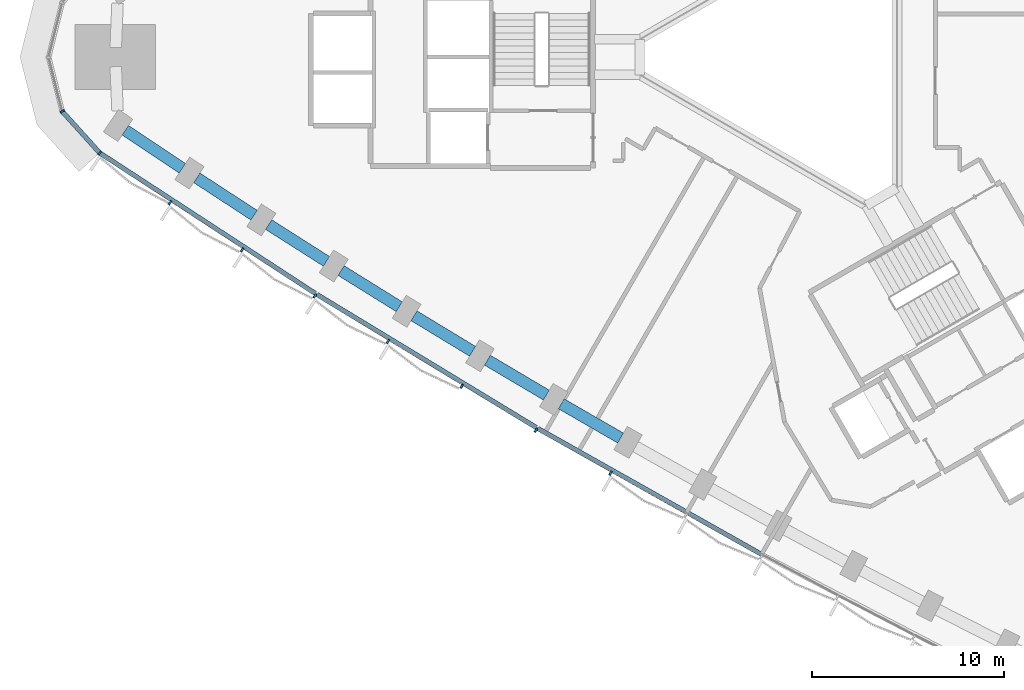
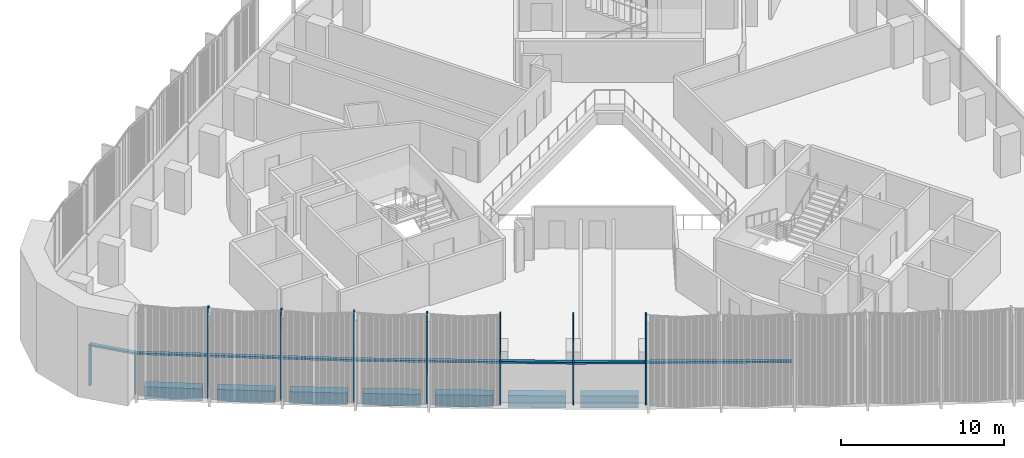
# One storey, part 2 of 15: 13 members, 7 beams, 2 elements without a shape of their own.
"""IFC4 building model written with IfcOpenShell, lengths in metres."""

from ifc_helpers import new_model, si_unit, direction, frame, origin, origin_2d, place, context, subcontext, project, spatial, rectangle, extrude, material, material_profile, profile_set, type_object, element, aggregate, save


model = new_model("IFC4")

# Units and contexts
model_context = context("Model", 3, precision=1e-05, world=origin(), true_north=direction((0.0, 1.0)))
body_context = subcontext(model_context, "Body", "Model", "MODEL_VIEW")
ifc_project = project(units=[si_unit("LENGTHUNIT", "METRE"), si_unit("AREAUNIT", "SQUARE_METRE"), si_unit("VOLUMEUNIT", "CUBIC_METRE"), si_unit("PLANEANGLEUNIT", "RADIAN"), si_unit("MASSUNIT", "GRAM", prefix="KILO")], contexts=[model_context])

# Site, building, storey
site_placement = place(None, origin())
site = spatial("IfcSite", under=ifc_project, at=site_placement, CompositionType="ELEMENT")
building_placement = place(site_placement, origin())
building = spatial("IfcBuilding", under=site, at=building_placement, Name="Tamra Quay Hotel Tower", CompositionType="ELEMENT")
storey_placement = place(building_placement, frame((0.0, 0.0, 67.39990234375)))
storey = spatial("IfcBuildingStorey", under=building, at=storey_placement, Name="L15", CompositionType="ELEMENT", Elevation=67.39990234375)

# Curtain wall, member
ifc_material_1 = material(Name="Aluminium 6063 anodised dark grey", Category="aluminium")
curtain_wall_type_1 = type_object("IfcCurtainWallType", Name="CW2 CURTAIN WALL", PredefinedType="NOTDEFINED", material=ifc_material_1)
curtain_wall_1_placement = place(storey_placement, origin())
curtain_wall_1 = element("IfcCurtainWall", 1, at=curtain_wall_1_placement, inside=storey, type_object=curtain_wall_type_1, Name="CW2 north-west face L15", PredefinedType="NOTDEFINED")
ifc_material_profile_1 = material_profile(ifc_material_1, rectangle(XDim=0.239990234375, YDim=0.10009765625, at=origin_2d()), Name="MULLION 100X240")
ifc_profile_set_1 = profile_set([ifc_material_profile_1], Name="Aluminium 6063 anodised dark grey")
member_type_1 = type_object("IfcMemberType", Name="MULLION CW2 Z1", PredefinedType="MULLION", material=ifc_profile_set_1)
member_1_placement = place(storey_placement, frame((-38.497802734375, -2.828125, 0.0), z_axis=(0.0, 0.0, 1.0), x_axis=(-0.882955345235, -0.469456982396, 0.0)))
member_1 = element("IfcMember", 2, at=member_1_placement, type_object=member_type_1, Name="CW2 mullion L15.NW.17", PredefinedType="MULLION", context=body_context, shape_type="SweptSolid", body=[
    extrude(rectangle(XDim=0.239990234375, YDim=0.10009765625, at=origin_2d()), origin(), (0.0, 0.0, 1.0), 3.125),
])

# Curtain wall, members
curtain_wall_type_2 = type_object("IfcCurtainWallType", Name="CW3 CURTAIN WALL", PredefinedType="NOTDEFINED", material=ifc_material_1)
curtain_wall_2_placement = place(storey_placement, origin())
curtain_wall_2 = element("IfcCurtainWall", 3, at=curtain_wall_2_placement, inside=storey, type_object=curtain_wall_type_2, Name="CW3 south-west face L15", PredefinedType="NOTDEFINED")
ifc_material_profile_2 = material_profile(ifc_material_1, rectangle(XDim=0.239990234375, YDim=0.10009765625, at=origin_2d()), Name="MULLION 100X240")
ifc_profile_set_2 = profile_set([ifc_material_profile_2], Name="Aluminium 6063 anodised dark grey")
member_type_2 = type_object("IfcMemberType", Name="MULLION CW3 Z1", PredefinedType="MULLION", material=ifc_profile_set_2)
member_2_placement = place(storey_placement, frame((-36.547607421875, -4.993896484375, 0.0), z_axis=(0.0, 0.0, 1.0), x_axis=(-0.654196774513, -0.756324388221, 0.0)))
member_2 = element("IfcMember", 4, at=member_2_placement, type_object=member_type_2, Name="CW3 mullion L15.SW.1", PredefinedType="MULLION", context=body_context, shape_type="SweptSolid", body=[
    extrude(rectangle(XDim=0.239990234375, YDim=0.10009765625, at=origin_2d()), origin(), (0.0, 0.0, 1.0), 3.125),
])
member_3_placement = place(storey_placement, frame((-32.88037109375, -7.58544921875, 0.0), z_axis=(0.0, 0.0, 1.0), x_axis=(-0.550591269595, -0.834774971981, 0.0)))
member_3 = element("IfcMember", 5, at=member_3_placement, type_object=member_type_2, Name="CW3 mullion L15.SW.2", PredefinedType="MULLION", context=body_context, shape_type="SweptSolid", body=[
    extrude(rectangle(XDim=0.239990234375, YDim=0.10009765625, at=origin_2d()), origin(), (0.0, 0.0, 1.0), 6.800048828125),
])
member_4_placement = place(storey_placement, frame((-29.1181640625, -10.037841796875, 0.0), z_axis=(0.0, 0.0, 1.0), x_axis=(-0.541560885498, -0.84066152957, 0.0)))
member_4 = element("IfcMember", 6, at=member_4_placement, type_object=member_type_2, Name="CW3 mullion L15.SW.3", PredefinedType="MULLION", context=body_context, shape_type="SweptSolid", body=[
    extrude(rectangle(XDim=0.239990234375, YDim=0.10009765625, at=origin_2d()), origin(), (0.0, 0.0, 1.0), 6.800048828125),
])
member_5_placement = place(storey_placement, frame((-25.33056640625, -12.44921875, 0.0), z_axis=(0.0, 0.0, 1.0), x_axis=(-0.532446882669, -0.846463417482, 0.0)))
member_5 = element("IfcMember", 7, at=member_5_placement, type_object=member_type_2, Name="CW3 mullion L15.SW.4", PredefinedType="MULLION", context=body_context, shape_type="SweptSolid", body=[
    extrude(rectangle(XDim=0.239990234375, YDim=0.10009765625, at=origin_2d()), origin(), (0.0, 0.0, 1.0), 6.800048828125),
])
member_6_placement = place(storey_placement, frame((-21.51708984375, -14.8193359375, 0.0), z_axis=(0.0, 0.0, 1.0), x_axis=(-0.523257144174, -0.852174841843, 0.0)))
member_6 = element("IfcMember", 8, at=member_6_placement, type_object=member_type_2, Name="CW3 mullion L15.SW.5", PredefinedType="MULLION", context=body_context, shape_type="SweptSolid", body=[
    extrude(rectangle(XDim=0.239990234375, YDim=0.10009765625, at=origin_2d()), origin(), (0.0, 0.0, 1.0), 6.800048828125),
])
member_7_placement = place(storey_placement, frame((-17.67724609375, -17.1484375, 0.0), z_axis=(0.0, 0.0, 1.0), x_axis=(-0.514004526657, -0.857787471683, 0.0)))
member_7 = element("IfcMember", 9, at=member_7_placement, type_object=member_type_2, Name="CW3 mullion L15.SW.6", PredefinedType="MULLION", context=body_context, shape_type="SweptSolid", body=[
    extrude(rectangle(XDim=0.239990234375, YDim=0.10009765625, at=origin_2d()), origin(), (0.0, 0.0, 1.0), 6.800048828125),
])
member_8_placement = place(storey_placement, frame((-13.8134765625, -19.435546875, 0.0), z_axis=(0.0, 0.0, 1.0), x_axis=(-0.504685008453, -0.863303563205, 0.0)))
member_8 = element("IfcMember", 10, at=member_8_placement, type_object=member_type_2, Name="CW3 mullion L15.SW.7", PredefinedType="MULLION", context=body_context, shape_type="SweptSolid", body=[
    extrude(rectangle(XDim=0.239990234375, YDim=0.10009765625, at=origin_2d()), origin(), (0.0, 0.0, 1.0), 6.800048828125),
])
member_9_placement = place(storey_placement, frame((-9.9248046875, -21.680419921875, 0.0), z_axis=(0.0, 0.0, 1.0), x_axis=(-0.495300312687, -0.868721819832, 0.0)))
member_9 = element("IfcMember", 11, at=member_9_placement, type_object=member_type_2, Name="CW3 mullion L15.SW.8", PredefinedType="MULLION", context=body_context, shape_type="SweptSolid", body=[
    extrude(rectangle(XDim=0.239990234375, YDim=0.10009765625, at=origin_2d()), origin(), (0.0, 0.0, 1.0), 6.800048828125),
])

# Beams
ifc_material_2 = material(Name="Concrete M60", Category="concrete")
ifc_material_profile_3 = material_profile(ifc_material_2, rectangle(XDim=0.60009765625, YDim=0.89990234375, at=origin_2d()), Name="SPANDREL BEAM RC 600x900")
ifc_profile_set_3 = profile_set([ifc_material_profile_3], Name="Concrete M60")
beam_type = type_object("IfcBeamType", Name="SPANDREL BEAM RC 600x900", PredefinedType="SPANDREL", material=ifc_profile_set_3)
beam_1_placement = place(storey_placement, frame((-35.209228515625, -3.814697265625, -0.9248046875), z_axis=(0.831818807601, -0.555047269448, 0.0), x_axis=(0.555047269448, 0.831818807601, 0.0)))
element("IfcBeam", 12, at=beam_1_placement, inside=storey, type_object=beam_type, Name="BM-SP1-030-L15", PredefinedType="SPANDREL", context=body_context, shape_type="SweptSolid", body=[
    extrude(rectangle(XDim=0.60009765625, YDim=0.89990234375, at=origin_2d()), origin(), (0.0, 0.0, 1.0), 3.57080078125),
])
beam_2_placement = place(storey_placement, frame((-31.48779296875, -6.292236328125, -0.9248046875), z_axis=(0.837739819239, -0.546069588296, 0.0), x_axis=(0.546069588296, 0.837739819239, 0.0)))
element("IfcBeam", 13, at=beam_2_placement, inside=storey, type_object=beam_type, Name="BM-SP1-031-L15", PredefinedType="SPANDREL", context=body_context, shape_type="SweptSolid", body=[
    extrude(rectangle(XDim=0.60009765625, YDim=0.89990234375, at=origin_2d()), origin(), (0.0, 0.0, 1.0), 3.570068359375),
])
beam_3_placement = place(storey_placement, frame((-27.740478515625, -8.729248046875, -0.9248046875), z_axis=(0.843593906333, -0.53698167678, 0.0), x_axis=(0.53698167678, 0.843593906333, 0.0)))
element("IfcBeam", 14, at=beam_3_placement, inside=storey, type_object=beam_type, Name="BM-SP1-032-L15", PredefinedType="SPANDREL", context=body_context, shape_type="SweptSolid", body=[
    extrude(rectangle(XDim=0.60009765625, YDim=0.89990234375, at=origin_2d()), origin(), (0.0, 0.0, 1.0), 3.5703125),
])
beam_4_placement = place(storey_placement, frame((-23.966552734375, -11.125732421875, -0.9248046875), z_axis=(0.849320953317, -0.527876802158, 0.0), x_axis=(0.527876802158, 0.849320953317, 0.0)))
element("IfcBeam", 15, at=beam_4_placement, inside=storey, type_object=beam_type, Name="BM-SP1-033-L15", PredefinedType="SPANDREL", context=body_context, shape_type="SweptSolid", body=[
    extrude(rectangle(XDim=0.60009765625, YDim=0.89990234375, at=origin_2d()), origin(), (0.0, 0.0, 1.0), 3.570556640625),
])
beam_5_placement = place(storey_placement, frame((-20.1669921875, -13.4814453125, -0.9248046875), z_axis=(0.854966252085, -0.518683629775, 0.0), x_axis=(0.518683629775, 0.854966252085, 0.0)))
element("IfcBeam", 16, at=beam_5_placement, inside=storey, type_object=beam_type, Name="BM-SP1-034-L15", PredefinedType="SPANDREL", context=body_context, shape_type="SweptSolid", body=[
    extrude(rectangle(XDim=0.60009765625, YDim=0.89990234375, at=origin_2d()), origin(), (0.0, 0.0, 1.0), 3.56982421875),
])
beam_6_placement = place(storey_placement, frame((-16.3427734375, -15.79541015625, -0.9248046875), z_axis=(0.860524689034, -0.509408735264, 0.0), x_axis=(0.509408735264, 0.860524689034, 0.0)))
element("IfcBeam", 17, at=beam_6_placement, inside=storey, type_object=beam_type, Name="BM-SP1-035-L15", PredefinedType="SPANDREL", context=body_context, shape_type="SweptSolid", body=[
    extrude(rectangle(XDim=0.60009765625, YDim=0.89990234375, at=origin_2d()), origin(), (0.0, 0.0, 1.0), 3.570556640625),
])
beam_7_placement = place(storey_placement, frame((-12.493408203125, -18.068359375, -0.9248046875), z_axis=(0.866017069707, -0.500014434768, 0.0), x_axis=(0.500014434768, 0.866017069707, 0.0)))
element("IfcBeam", 18, at=beam_7_placement, inside=storey, type_object=beam_type, Name="BM-SP1-036-L15", PredefinedType="SPANDREL", context=body_context, shape_type="SweptSolid", body=[
    extrude(rectangle(XDim=0.60009765625, YDim=0.89990234375, at=origin_2d()), origin(), (0.0, 0.0, 1.0), 3.57080078125),
])

# Member
ifc_material_profile_4 = material_profile(ifc_material_1, rectangle(XDim=0.239990234375, YDim=0.139892578125, at=origin_2d()), Name="TRANSOM 240X140")
ifc_profile_set_4 = profile_set([ifc_material_profile_4], Name="Aluminium 6063 anodised dark grey")
member_type_3 = type_object("IfcMemberType", Name="TRANSOM CW2 Z1", PredefinedType="USERDEFINED", material=ifc_profile_set_4)
member_10_placement = place(storey_placement, frame((-38.46435546875, -2.865234375, 3.05517578125), z_axis=(0.669142034262, -0.743134535588, 0.0), x_axis=(0.743134535588, 0.669142034262, 0.0)))
member_10 = element("IfcMember", 19, at=member_10_placement, type_object=member_type_3, Name="CW2 transom L15.NW.17", ObjectType="TRANSOM", PredefinedType="USERDEFINED", context=body_context, shape_type="SweptSolid", body=[
    extrude(rectangle(XDim=0.239990234375, YDim=0.139892578125, at=origin_2d()), origin(), (0.0, 0.0, 1.0), 2.814453125),
])

aggregate(curtain_wall_1, [member_1, member_10])

ifc_material_profile_5 = material_profile(ifc_material_1, rectangle(XDim=0.239990234375, YDim=0.139892578125, at=origin_2d()), Name="TRANSOM 240X140")
ifc_profile_set_5 = profile_set([ifc_material_profile_5], Name="Aluminium 6063 anodised dark grey")
member_type_4 = type_object("IfcMemberType", Name="TRANSOM CW3 Z1", PredefinedType="USERDEFINED", material=ifc_profile_set_5)
member_11_placement = place(storey_placement, frame((-36.506103515625, -5.021728515625, 3.05517578125), z_axis=(0.83773012635, -0.546084458126, 0.0), x_axis=(0.546084458126, 0.83773012635, 0.0)))
member_11 = element("IfcMember", 20, at=member_11_placement, type_object=member_type_4, Name="CW3 transom L15.SW.1", ObjectType="TRANSOM", PredefinedType="USERDEFINED", context=body_context, shape_type="SweptSolid", body=[
    extrude(rectangle(XDim=0.239990234375, YDim=0.139892578125, at=origin_2d()), origin(), (0.0, 0.0, 1.0), 13.3662109375),
])

member_12_placement = place(storey_placement, frame((-25.22412109375, -12.3740234375, 3.05517578125), z_axis=(0.854992910191, -0.518639685642, 0.0), x_axis=(0.518639685642, 0.854992910191, 0.0)))
member_12 = element("IfcMember", 21, at=member_12_placement, type_object=member_type_4, Name="CW3 transom L15.SW.4", ObjectType="TRANSOM", PredefinedType="USERDEFINED", context=body_context, shape_type="SweptSolid", body=[
    extrude(rectangle(XDim=0.239990234375, YDim=0.139892578125, at=origin_2d()), origin(), (0.0, 0.0, 1.0), 13.366455078125),
])

member_13_placement = place(storey_placement, frame((-13.70947265625, -19.35693359375, 3.05517578125), z_axis=(0.871394018257, -0.490583800125, 0.0), x_axis=(0.490583800125, 0.871394018257, 0.0)))
member_13 = element("IfcMember", 22, at=member_13_placement, type_object=member_type_4, Name="CW3 transom L15.SW.7", ObjectType="TRANSOM", PredefinedType="USERDEFINED", context=body_context, shape_type="SweptSolid", body=[
    extrude(rectangle(XDim=0.239990234375, YDim=0.139892578125, at=origin_2d()), origin(), (0.0, 0.0, 1.0), 13.366455078125),
])

aggregate(curtain_wall_2, [member_2, member_11, member_3, member_4, member_5, member_12, member_6, member_7, member_8, member_13, member_9])

save(model, "model.ifc")
